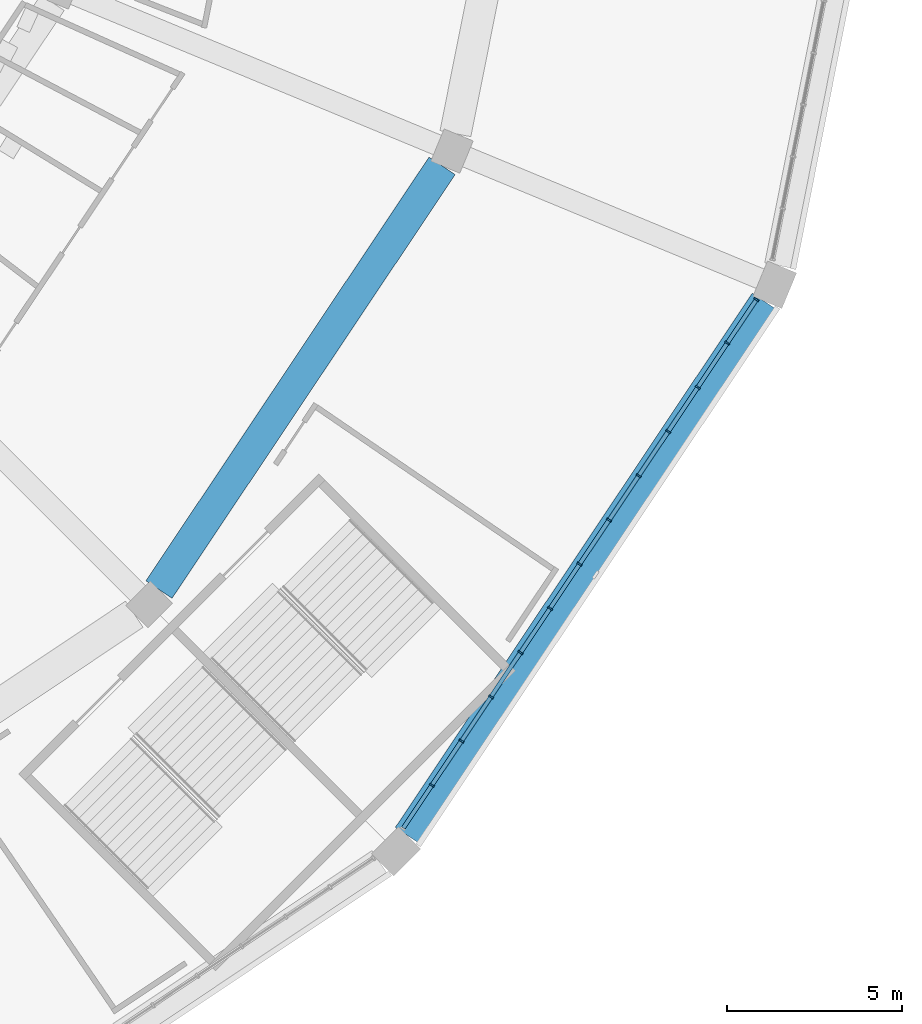
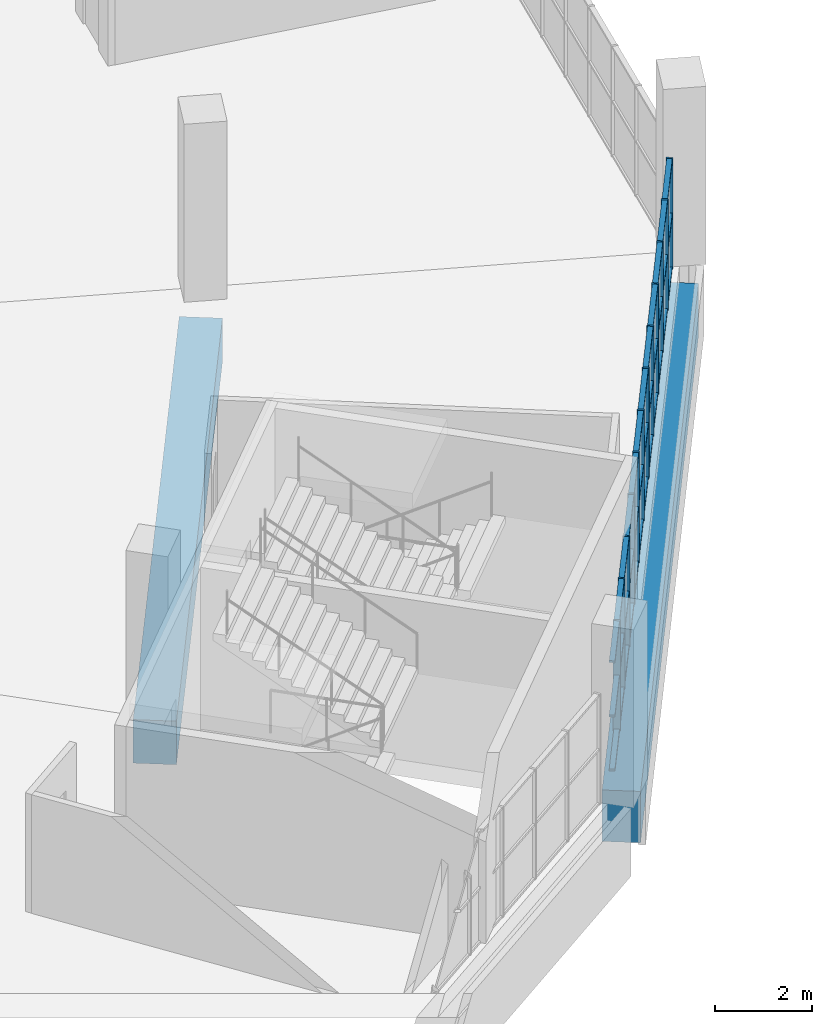
# One storey, part 24 of 199: 48 members, 2 beams, 1 element without a shape of its own.
"""IFC4 building model written with IfcOpenShell, lengths in metres."""

from ifc_helpers import new_model, si_unit, direction, frame, origin, origin_2d, place, context, subcontext, project, spatial, rectangle, extrude, material, material_profile, profile_set, type_object, element, aggregate, save


model = new_model("IFC4")

# Units and contexts
model_context = context("Model", 3, precision=1e-05, world=origin(), true_north=direction((0.0, 1.0)))
body_context = subcontext(model_context, "Body", "Model", "MODEL_VIEW")
ifc_project = project(units=[si_unit("LENGTHUNIT", "METRE"), si_unit("AREAUNIT", "SQUARE_METRE"), si_unit("VOLUMEUNIT", "CUBIC_METRE"), si_unit("PLANEANGLEUNIT", "RADIAN"), si_unit("MASSUNIT", "GRAM", prefix="KILO")], contexts=[model_context])

# Site, building, storey
site_placement = place(None, origin())
site = spatial("IfcSite", under=ifc_project, at=site_placement, CompositionType="ELEMENT")
building_placement = place(site_placement, origin())
building = spatial("IfcBuilding", under=site, at=building_placement, Name="Ogive Plaza Stadium", CompositionType="ELEMENT")
storey_placement = place(building_placement, frame((0.0, 0.0, 4.5)))
storey = spatial("IfcBuildingStorey", under=building, at=storey_placement, Name="L01", CompositionType="ELEMENT", Elevation=4.5)

# Curtain wall, members
ifc_material_1 = material(Name="Bronze-anodised aluminium with laminated glass", Category="aluminium")
curtain_wall_type = type_object("IfcCurtainWallType", Name="Lancet curtain wall", PredefinedType="NOTDEFINED", material=ifc_material_1)
curtain_wall_placement = place(storey_placement, origin())
curtain_wall = element("IfcCurtainWall", 1, at=curtain_wall_placement, inside=storey, type_object=curtain_wall_type, Name="CURTAIN WALL B09 L01", PredefinedType="NOTDEFINED")
ifc_material_2 = material(Name="Bronze-anodised aluminium", Category="aluminium")
ifc_material_profile_1 = material_profile(ifc_material_2, rectangle(XDim=0.14990234375, YDim=0.050048828125, at=origin_2d()), Name="AL 150x50")
ifc_profile_set_1 = profile_set([ifc_material_profile_1], Name="Bronze-anodised aluminium")
member_type_1 = type_object("IfcMemberType", Name="Curtain wall mullion 50x150", PredefinedType="MULLION", material=ifc_profile_set_1)
member_1_placement = place(storey_placement, frame((79.669189453125, -72.059814453125, 0.0), z_axis=(0.0, 0.0, 1.0), x_axis=(0.831469612303, -0.55557023302, 0.0)))
member_1 = element("IfcMember", 2, at=member_1_placement, type_object=member_type_1, Name="CW-B09-L01 mullion 1", PredefinedType="MULLION", context=body_context, shape_type="SweptSolid", body=[
    extrude(rectangle(XDim=0.14990234375, YDim=0.050048828125, at=origin_2d()), origin(), (0.0, 0.0, 1.0), 2.7900390625),
])
member_2_placement = place(storey_placement, frame((78.837158203125, -73.3046875, 0.0), z_axis=(0.0, 0.0, 1.0), x_axis=(0.831469612303, -0.55557023302, 0.0)))
member_2 = element("IfcMember", 3, at=member_2_placement, type_object=member_type_1, Name="CW-B09-L01 mullion 2", PredefinedType="MULLION", context=body_context, shape_type="SweptSolid", body=[
    extrude(rectangle(XDim=0.14990234375, YDim=0.050048828125, at=origin_2d()), origin(), (0.0, 0.0, 1.0), 2.7900390625),
])
member_3_placement = place(storey_placement, frame((77.991455078125, -74.570556640625, 0.0), z_axis=(0.0, 0.0, 1.0), x_axis=(0.831469612303, -0.55557023302, 0.0)))
member_3 = element("IfcMember", 4, at=member_3_placement, type_object=member_type_1, Name="CW-B09-L01 mullion 3", PredefinedType="MULLION", context=body_context, shape_type="SweptSolid", body=[
    extrude(rectangle(XDim=0.14990234375, YDim=0.050048828125, at=origin_2d()), origin(), (0.0, 0.0, 1.0), 2.7900390625),
])
member_4_placement = place(storey_placement, frame((77.145751953125, -75.836181640625, 0.0), z_axis=(0.0, 0.0, 1.0), x_axis=(0.831469612303, -0.55557023302, 0.0)))
member_4 = element("IfcMember", 5, at=member_4_placement, type_object=member_type_1, Name="CW-B09-L01 mullion 4", PredefinedType="MULLION", context=body_context, shape_type="SweptSolid", body=[
    extrude(rectangle(XDim=0.14990234375, YDim=0.050048828125, at=origin_2d()), origin(), (0.0, 0.0, 1.0), 2.7900390625),
])
member_5_placement = place(storey_placement, frame((76.2998046875, -77.10205078125, 0.0), z_axis=(0.0, 0.0, 1.0), x_axis=(0.831469612303, -0.55557023302, 0.0)))
member_5 = element("IfcMember", 6, at=member_5_placement, type_object=member_type_1, Name="CW-B09-L01 mullion 5", PredefinedType="MULLION", context=body_context, shape_type="SweptSolid", body=[
    extrude(rectangle(XDim=0.14990234375, YDim=0.050048828125, at=origin_2d()), origin(), (0.0, 0.0, 1.0), 2.7900390625),
])
member_6_placement = place(storey_placement, frame((75.4541015625, -78.367919921875, 0.0), z_axis=(0.0, 0.0, 1.0), x_axis=(0.831469612303, -0.55557023302, 0.0)))
member_6 = element("IfcMember", 7, at=member_6_placement, type_object=member_type_1, Name="CW-B09-L01 mullion 6", PredefinedType="MULLION", context=body_context, shape_type="SweptSolid", body=[
    extrude(rectangle(XDim=0.14990234375, YDim=0.050048828125, at=origin_2d()), origin(), (0.0, 0.0, 1.0), 2.7900390625),
])
member_7_placement = place(storey_placement, frame((74.6083984375, -79.633544921875, 0.0), z_axis=(0.0, 0.0, 1.0), x_axis=(0.831469612303, -0.55557023302, 0.0)))
member_7 = element("IfcMember", 8, at=member_7_placement, type_object=member_type_1, Name="CW-B09-L01 mullion 7", PredefinedType="MULLION", context=body_context, shape_type="SweptSolid", body=[
    extrude(rectangle(XDim=0.14990234375, YDim=0.050048828125, at=origin_2d()), origin(), (0.0, 0.0, 1.0), 2.7900390625),
])
member_8_placement = place(storey_placement, frame((73.7626953125, -80.8994140625, 0.0), z_axis=(0.0, 0.0, 1.0), x_axis=(0.831469612303, -0.55557023302, 0.0)))
member_8 = element("IfcMember", 9, at=member_8_placement, type_object=member_type_1, Name="CW-B09-L01 mullion 8", PredefinedType="MULLION", context=body_context, shape_type="SweptSolid", body=[
    extrude(rectangle(XDim=0.14990234375, YDim=0.050048828125, at=origin_2d()), origin(), (0.0, 0.0, 1.0), 2.7900390625),
])
member_9_placement = place(storey_placement, frame((72.916748046875, -82.165283203125, 0.0), z_axis=(0.0, 0.0, 1.0), x_axis=(0.831469612303, -0.55557023302, 0.0)))
member_9 = element("IfcMember", 10, at=member_9_placement, type_object=member_type_1, Name="CW-B09-L01 mullion 9", PredefinedType="MULLION", context=body_context, shape_type="SweptSolid", body=[
    extrude(rectangle(XDim=0.14990234375, YDim=0.050048828125, at=origin_2d()), origin(), (0.0, 0.0, 1.0), 2.7900390625),
])
member_10_placement = place(storey_placement, frame((72.071044921875, -83.430908203125, 0.0), z_axis=(0.0, 0.0, 1.0), x_axis=(0.831469612303, -0.55557023302, 0.0)))
member_10 = element("IfcMember", 11, at=member_10_placement, type_object=member_type_1, Name="CW-B09-L01 mullion 10", PredefinedType="MULLION", context=body_context, shape_type="SweptSolid", body=[
    extrude(rectangle(XDim=0.14990234375, YDim=0.050048828125, at=origin_2d()), origin(), (0.0, 0.0, 1.0), 2.7900390625),
])
member_11_placement = place(storey_placement, frame((71.225341796875, -84.69677734375, 0.0), z_axis=(0.0, 0.0, 1.0), x_axis=(0.831469612303, -0.55557023302, 0.0)))
member_11 = element("IfcMember", 12, at=member_11_placement, type_object=member_type_1, Name="CW-B09-L01 mullion 11", PredefinedType="MULLION", context=body_context, shape_type="SweptSolid", body=[
    extrude(rectangle(XDim=0.14990234375, YDim=0.050048828125, at=origin_2d()), origin(), (0.0, 0.0, 1.0), 2.7900390625),
])
member_12_placement = place(storey_placement, frame((70.379638671875, -85.962646484375, 0.0), z_axis=(0.0, 0.0, 1.0), x_axis=(0.831469612303, -0.55557023302, 0.0)))
member_12 = element("IfcMember", 13, at=member_12_placement, type_object=member_type_1, Name="CW-B09-L01 mullion 12", PredefinedType="MULLION", context=body_context, shape_type="SweptSolid", body=[
    extrude(rectangle(XDim=0.14990234375, YDim=0.050048828125, at=origin_2d()), origin(), (0.0, 0.0, 1.0), 2.7900390625),
])
ifc_material_3 = material(Name="Bronze-anodised aluminium", Category="aluminium")
ifc_material_profile_2 = material_profile(ifc_material_3, rectangle(XDim=0.1201171875, YDim=0.050048828125, at=origin_2d()), Name="AL 120x50")
ifc_profile_set_2 = profile_set([ifc_material_profile_2], Name="Bronze-anodised aluminium")
member_type_2 = type_object("IfcMemberType", Name="Curtain wall transom 50x120", PredefinedType="USERDEFINED", material=ifc_profile_set_2)
member_13_placement = place(storey_placement, frame((79.6552734375, -72.08056640625, 0.02490234375), z_axis=(-0.555634077892, -0.831426948977, 0.0), x_axis=(0.831426948977, -0.555634077892, 0.0)))
member_13 = element("IfcMember", 14, at=member_13_placement, type_object=member_type_2, Name="CW-B09-L01 transom 1.1", ObjectType="TRANSOM", PredefinedType="USERDEFINED", context=body_context, shape_type="SweptSolid", body=[
    extrude(rectangle(XDim=0.1201171875, YDim=0.050048828125, at=origin_2d()), origin(), (0.0, 0.0, 1.0), 1.447265625),
])
member_14_placement = place(storey_placement, frame((79.6552734375, -72.08056640625, 1.39501953125), z_axis=(-0.555634077892, -0.831426948977, 0.0), x_axis=(0.831426948977, -0.555634077892, 0.0)))
member_14 = element("IfcMember", 15, at=member_14_placement, type_object=member_type_2, Name="CW-B09-L01 transom 1.2", ObjectType="TRANSOM", PredefinedType="USERDEFINED", context=body_context, shape_type="SweptSolid", body=[
    extrude(rectangle(XDim=0.1201171875, YDim=0.050048828125, at=origin_2d()), origin(), (0.0, 0.0, 1.0), 1.447265625),
])
member_15_placement = place(storey_placement, frame((79.6552734375, -72.08056640625, 2.764892578125), z_axis=(-0.555634077892, -0.831426948977, 0.0), x_axis=(0.831426948977, -0.555634077892, 0.0)))
member_15 = element("IfcMember", 16, at=member_15_placement, type_object=member_type_2, Name="CW-B09-L01 transom 1.3", ObjectType="TRANSOM", PredefinedType="USERDEFINED", context=body_context, shape_type="SweptSolid", body=[
    extrude(rectangle(XDim=0.1201171875, YDim=0.050048828125, at=origin_2d()), origin(), (0.0, 0.0, 1.0), 1.447265625),
])
member_16_placement = place(storey_placement, frame((78.8232421875, -73.325439453125, 0.02490234375), z_axis=(-0.555465240925, -0.83153975619, 0.0), x_axis=(0.83153975619, -0.555465240925, 0.0)))
member_16 = element("IfcMember", 17, at=member_16_placement, type_object=member_type_2, Name="CW-B09-L01 transom 2.1", ObjectType="TRANSOM", PredefinedType="USERDEFINED", context=body_context, shape_type="SweptSolid", body=[
    extrude(rectangle(XDim=0.1201171875, YDim=0.050048828125, at=origin_2d()), origin(), (0.0, 0.0, 1.0), 1.472412109375),
])
member_17_placement = place(storey_placement, frame((78.8232421875, -73.325439453125, 1.39501953125), z_axis=(-0.555465240925, -0.83153975619, 0.0), x_axis=(0.83153975619, -0.555465240925, 0.0)))
member_17 = element("IfcMember", 18, at=member_17_placement, type_object=member_type_2, Name="CW-B09-L01 transom 2.2", ObjectType="TRANSOM", PredefinedType="USERDEFINED", context=body_context, shape_type="SweptSolid", body=[
    extrude(rectangle(XDim=0.1201171875, YDim=0.050048828125, at=origin_2d()), origin(), (0.0, 0.0, 1.0), 1.472412109375),
])
member_18_placement = place(storey_placement, frame((78.8232421875, -73.325439453125, 2.764892578125), z_axis=(-0.555465240925, -0.83153975619, 0.0), x_axis=(0.83153975619, -0.555465240925, 0.0)))
member_18 = element("IfcMember", 19, at=member_18_placement, type_object=member_type_2, Name="CW-B09-L01 transom 2.3", ObjectType="TRANSOM", PredefinedType="USERDEFINED", context=body_context, shape_type="SweptSolid", body=[
    extrude(rectangle(XDim=0.1201171875, YDim=0.050048828125, at=origin_2d()), origin(), (0.0, 0.0, 1.0), 1.472412109375),
])
member_19_placement = place(storey_placement, frame((77.9775390625, -74.59130859375, 0.02490234375), z_axis=(-0.555541835587, -0.831488586159, 0.0), x_axis=(0.831488586159, -0.555541835587, 0.0)))
member_19 = element("IfcMember", 20, at=member_19_placement, type_object=member_type_2, Name="CW-B09-L01 transom 3.1", ObjectType="TRANSOM", PredefinedType="USERDEFINED", context=body_context, shape_type="SweptSolid", body=[
    extrude(rectangle(XDim=0.1201171875, YDim=0.050048828125, at=origin_2d()), origin(), (0.0, 0.0, 1.0), 1.47216796875),
])
member_20_placement = place(storey_placement, frame((77.9775390625, -74.59130859375, 1.39501953125), z_axis=(-0.555541835587, -0.831488586159, 0.0), x_axis=(0.831488586159, -0.555541835587, 0.0)))
member_20 = element("IfcMember", 21, at=member_20_placement, type_object=member_type_2, Name="CW-B09-L01 transom 3.2", ObjectType="TRANSOM", PredefinedType="USERDEFINED", context=body_context, shape_type="SweptSolid", body=[
    extrude(rectangle(XDim=0.1201171875, YDim=0.050048828125, at=origin_2d()), origin(), (0.0, 0.0, 1.0), 1.47216796875),
])
member_21_placement = place(storey_placement, frame((77.9775390625, -74.59130859375, 2.764892578125), z_axis=(-0.555541835587, -0.831488586159, 0.0), x_axis=(0.831488586159, -0.555541835587, 0.0)))
member_21 = element("IfcMember", 22, at=member_21_placement, type_object=member_type_2, Name="CW-B09-L01 transom 3.3", ObjectType="TRANSOM", PredefinedType="USERDEFINED", context=body_context, shape_type="SweptSolid", body=[
    extrude(rectangle(XDim=0.1201171875, YDim=0.050048828125, at=origin_2d()), origin(), (0.0, 0.0, 1.0), 1.47216796875),
])
member_22_placement = place(storey_placement, frame((77.1318359375, -75.857177734375, 0.02490234375), z_axis=(-0.555656472512, -0.831411982446, 0.0), x_axis=(0.831411982446, -0.555656472512, 0.0)))
member_22 = element("IfcMember", 23, at=member_22_placement, type_object=member_type_2, Name="CW-B09-L01 transom 4.1", ObjectType="TRANSOM", PredefinedType="USERDEFINED", context=body_context, shape_type="SweptSolid", body=[
    extrude(rectangle(XDim=0.1201171875, YDim=0.050048828125, at=origin_2d()), origin(), (0.0, 0.0, 1.0), 1.472412109375),
])
member_23_placement = place(storey_placement, frame((77.1318359375, -75.857177734375, 1.39501953125), z_axis=(-0.555656472512, -0.831411982446, 0.0), x_axis=(0.831411982446, -0.555656472512, 0.0)))
member_23 = element("IfcMember", 24, at=member_23_placement, type_object=member_type_2, Name="CW-B09-L01 transom 4.2", ObjectType="TRANSOM", PredefinedType="USERDEFINED", context=body_context, shape_type="SweptSolid", body=[
    extrude(rectangle(XDim=0.1201171875, YDim=0.050048828125, at=origin_2d()), origin(), (0.0, 0.0, 1.0), 1.472412109375),
])
member_24_placement = place(storey_placement, frame((77.1318359375, -75.857177734375, 2.764892578125), z_axis=(-0.555656472512, -0.831411982446, 0.0), x_axis=(0.831411982446, -0.555656472512, 0.0)))
member_24 = element("IfcMember", 25, at=member_24_placement, type_object=member_type_2, Name="CW-B09-L01 transom 4.3", ObjectType="TRANSOM", PredefinedType="USERDEFINED", context=body_context, shape_type="SweptSolid", body=[
    extrude(rectangle(XDim=0.1201171875, YDim=0.050048828125, at=origin_2d()), origin(), (0.0, 0.0, 1.0), 1.472412109375),
])
member_25_placement = place(storey_placement, frame((76.2861328125, -77.122802734375, 0.02490234375), z_axis=(-0.555579876157, -0.831463168883, 0.0), x_axis=(0.831463168883, -0.555579876157, 0.0)))
member_25 = element("IfcMember", 26, at=member_25_placement, type_object=member_type_2, Name="CW-B09-L01 transom 5.1", ObjectType="TRANSOM", PredefinedType="USERDEFINED", context=body_context, shape_type="SweptSolid", body=[
    extrude(rectangle(XDim=0.1201171875, YDim=0.050048828125, at=origin_2d()), origin(), (0.0, 0.0, 1.0), 1.47265625),
])
member_26_placement = place(storey_placement, frame((76.2861328125, -77.122802734375, 1.39501953125), z_axis=(-0.555579876157, -0.831463168883, 0.0), x_axis=(0.831463168883, -0.555579876157, 0.0)))
member_26 = element("IfcMember", 27, at=member_26_placement, type_object=member_type_2, Name="CW-B09-L01 transom 5.2", ObjectType="TRANSOM", PredefinedType="USERDEFINED", context=body_context, shape_type="SweptSolid", body=[
    extrude(rectangle(XDim=0.1201171875, YDim=0.050048828125, at=origin_2d()), origin(), (0.0, 0.0, 1.0), 1.47265625),
])
member_27_placement = place(storey_placement, frame((76.2861328125, -77.122802734375, 2.764892578125), z_axis=(-0.555579876157, -0.831463168883, 0.0), x_axis=(0.831463168883, -0.555579876157, 0.0)))
member_27 = element("IfcMember", 28, at=member_27_placement, type_object=member_type_2, Name="CW-B09-L01 transom 5.3", ObjectType="TRANSOM", PredefinedType="USERDEFINED", context=body_context, shape_type="SweptSolid", body=[
    extrude(rectangle(XDim=0.1201171875, YDim=0.050048828125, at=origin_2d()), origin(), (0.0, 0.0, 1.0), 1.47265625),
])
member_28_placement = place(storey_placement, frame((75.440185546875, -78.388671875, 0.02490234375), z_axis=(-0.555541835587, -0.831488586159, 0.0), x_axis=(0.831488586159, -0.555541835587, 0.0)))
member_28 = element("IfcMember", 29, at=member_28_placement, type_object=member_type_2, Name="CW-B09-L01 transom 6.1", ObjectType="TRANSOM", PredefinedType="USERDEFINED", context=body_context, shape_type="SweptSolid", body=[
    extrude(rectangle(XDim=0.1201171875, YDim=0.050048828125, at=origin_2d()), origin(), (0.0, 0.0, 1.0), 1.47216796875),
])
member_29_placement = place(storey_placement, frame((75.440185546875, -78.388671875, 1.39501953125), z_axis=(-0.555541835587, -0.831488586159, 0.0), x_axis=(0.831488586159, -0.555541835587, 0.0)))
member_29 = element("IfcMember", 30, at=member_29_placement, type_object=member_type_2, Name="CW-B09-L01 transom 6.2", ObjectType="TRANSOM", PredefinedType="USERDEFINED", context=body_context, shape_type="SweptSolid", body=[
    extrude(rectangle(XDim=0.1201171875, YDim=0.050048828125, at=origin_2d()), origin(), (0.0, 0.0, 1.0), 1.47216796875),
])
member_30_placement = place(storey_placement, frame((75.440185546875, -78.388671875, 2.764892578125), z_axis=(-0.555541835587, -0.831488586159, 0.0), x_axis=(0.831488586159, -0.555541835587, 0.0)))
member_30 = element("IfcMember", 31, at=member_30_placement, type_object=member_type_2, Name="CW-B09-L01 transom 6.3", ObjectType="TRANSOM", PredefinedType="USERDEFINED", context=body_context, shape_type="SweptSolid", body=[
    extrude(rectangle(XDim=0.1201171875, YDim=0.050048828125, at=origin_2d()), origin(), (0.0, 0.0, 1.0), 1.47216796875),
])
member_31_placement = place(storey_placement, frame((74.594482421875, -79.654541015625, 0.02490234375), z_axis=(-0.555656472512, -0.831411982446, 0.0), x_axis=(0.831411982446, -0.555656472512, 0.0)))
member_31 = element("IfcMember", 32, at=member_31_placement, type_object=member_type_2, Name="CW-B09-L01 transom 7.1", ObjectType="TRANSOM", PredefinedType="USERDEFINED", context=body_context, shape_type="SweptSolid", body=[
    extrude(rectangle(XDim=0.1201171875, YDim=0.050048828125, at=origin_2d()), origin(), (0.0, 0.0, 1.0), 1.472412109375),
])
member_32_placement = place(storey_placement, frame((74.594482421875, -79.654541015625, 1.39501953125), z_axis=(-0.555656472512, -0.831411982446, 0.0), x_axis=(0.831411982446, -0.555656472512, 0.0)))
member_32 = element("IfcMember", 33, at=member_32_placement, type_object=member_type_2, Name="CW-B09-L01 transom 7.2", ObjectType="TRANSOM", PredefinedType="USERDEFINED", context=body_context, shape_type="SweptSolid", body=[
    extrude(rectangle(XDim=0.1201171875, YDim=0.050048828125, at=origin_2d()), origin(), (0.0, 0.0, 1.0), 1.472412109375),
])
member_33_placement = place(storey_placement, frame((74.594482421875, -79.654541015625, 2.764892578125), z_axis=(-0.555656472512, -0.831411982446, 0.0), x_axis=(0.831411982446, -0.555656472512, 0.0)))
member_33 = element("IfcMember", 34, at=member_33_placement, type_object=member_type_2, Name="CW-B09-L01 transom 7.3", ObjectType="TRANSOM", PredefinedType="USERDEFINED", context=body_context, shape_type="SweptSolid", body=[
    extrude(rectangle(XDim=0.1201171875, YDim=0.050048828125, at=origin_2d()), origin(), (0.0, 0.0, 1.0), 1.472412109375),
])
member_34_placement = place(storey_placement, frame((73.748779296875, -80.920166015625, 0.02490234375), z_axis=(-0.555579876157, -0.831463168883, 0.0), x_axis=(0.831463168883, -0.555579876157, 0.0)))
member_34 = element("IfcMember", 35, at=member_34_placement, type_object=member_type_2, Name="CW-B09-L01 transom 8.1", ObjectType="TRANSOM", PredefinedType="USERDEFINED", context=body_context, shape_type="SweptSolid", body=[
    extrude(rectangle(XDim=0.1201171875, YDim=0.050048828125, at=origin_2d()), origin(), (0.0, 0.0, 1.0), 1.47265625),
])
member_35_placement = place(storey_placement, frame((73.748779296875, -80.920166015625, 1.39501953125), z_axis=(-0.555579876157, -0.831463168883, 0.0), x_axis=(0.831463168883, -0.555579876157, 0.0)))
member_35 = element("IfcMember", 36, at=member_35_placement, type_object=member_type_2, Name="CW-B09-L01 transom 8.2", ObjectType="TRANSOM", PredefinedType="USERDEFINED", context=body_context, shape_type="SweptSolid", body=[
    extrude(rectangle(XDim=0.1201171875, YDim=0.050048828125, at=origin_2d()), origin(), (0.0, 0.0, 1.0), 1.47265625),
])
member_36_placement = place(storey_placement, frame((73.748779296875, -80.920166015625, 2.764892578125), z_axis=(-0.555579876157, -0.831463168883, 0.0), x_axis=(0.831463168883, -0.555579876157, 0.0)))
member_36 = element("IfcMember", 37, at=member_36_placement, type_object=member_type_2, Name="CW-B09-L01 transom 8.3", ObjectType="TRANSOM", PredefinedType="USERDEFINED", context=body_context, shape_type="SweptSolid", body=[
    extrude(rectangle(XDim=0.1201171875, YDim=0.050048828125, at=origin_2d()), origin(), (0.0, 0.0, 1.0), 1.47265625),
])
member_37_placement = place(storey_placement, frame((72.90283203125, -82.18603515625, 0.02490234375), z_axis=(-0.555541835587, -0.831488586159, 0.0), x_axis=(0.831488586159, -0.555541835587, 0.0)))
member_37 = element("IfcMember", 38, at=member_37_placement, type_object=member_type_2, Name="CW-B09-L01 transom 9.1", ObjectType="TRANSOM", PredefinedType="USERDEFINED", context=body_context, shape_type="SweptSolid", body=[
    extrude(rectangle(XDim=0.1201171875, YDim=0.050048828125, at=origin_2d()), origin(), (0.0, 0.0, 1.0), 1.47216796875),
])
member_38_placement = place(storey_placement, frame((72.90283203125, -82.18603515625, 1.39501953125), z_axis=(-0.555541835587, -0.831488586159, 0.0), x_axis=(0.831488586159, -0.555541835587, 0.0)))
member_38 = element("IfcMember", 39, at=member_38_placement, type_object=member_type_2, Name="CW-B09-L01 transom 9.2", ObjectType="TRANSOM", PredefinedType="USERDEFINED", context=body_context, shape_type="SweptSolid", body=[
    extrude(rectangle(XDim=0.1201171875, YDim=0.050048828125, at=origin_2d()), origin(), (0.0, 0.0, 1.0), 1.47216796875),
])
member_39_placement = place(storey_placement, frame((72.90283203125, -82.18603515625, 2.764892578125), z_axis=(-0.555541835587, -0.831488586159, 0.0), x_axis=(0.831488586159, -0.555541835587, 0.0)))
member_39 = element("IfcMember", 40, at=member_39_placement, type_object=member_type_2, Name="CW-B09-L01 transom 9.3", ObjectType="TRANSOM", PredefinedType="USERDEFINED", context=body_context, shape_type="SweptSolid", body=[
    extrude(rectangle(XDim=0.1201171875, YDim=0.050048828125, at=origin_2d()), origin(), (0.0, 0.0, 1.0), 1.47216796875),
])
member_40_placement = place(storey_placement, frame((72.05712890625, -83.45166015625, 0.02490234375), z_axis=(-0.555465240925, -0.83153975619, 0.0), x_axis=(0.83153975619, -0.555465240925, 0.0)))
member_40 = element("IfcMember", 41, at=member_40_placement, type_object=member_type_2, Name="CW-B09-L01 transom 10.1", ObjectType="TRANSOM", PredefinedType="USERDEFINED", context=body_context, shape_type="SweptSolid", body=[
    extrude(rectangle(XDim=0.1201171875, YDim=0.050048828125, at=origin_2d()), origin(), (0.0, 0.0, 1.0), 1.472412109375),
])
member_41_placement = place(storey_placement, frame((72.05712890625, -83.45166015625, 1.39501953125), z_axis=(-0.555465240925, -0.83153975619, 0.0), x_axis=(0.83153975619, -0.555465240925, 0.0)))
member_41 = element("IfcMember", 42, at=member_41_placement, type_object=member_type_2, Name="CW-B09-L01 transom 10.2", ObjectType="TRANSOM", PredefinedType="USERDEFINED", context=body_context, shape_type="SweptSolid", body=[
    extrude(rectangle(XDim=0.1201171875, YDim=0.050048828125, at=origin_2d()), origin(), (0.0, 0.0, 1.0), 1.472412109375),
])
member_42_placement = place(storey_placement, frame((72.05712890625, -83.45166015625, 2.764892578125), z_axis=(-0.555465240925, -0.83153975619, 0.0), x_axis=(0.83153975619, -0.555465240925, 0.0)))
member_42 = element("IfcMember", 43, at=member_42_placement, type_object=member_type_2, Name="CW-B09-L01 transom 10.3", ObjectType="TRANSOM", PredefinedType="USERDEFINED", context=body_context, shape_type="SweptSolid", body=[
    extrude(rectangle(XDim=0.1201171875, YDim=0.050048828125, at=origin_2d()), origin(), (0.0, 0.0, 1.0), 1.472412109375),
])
member_43_placement = place(storey_placement, frame((71.21142578125, -84.717529296875, 0.02490234375), z_axis=(-0.555656472512, -0.831411982446, 0.0), x_axis=(0.831411982446, -0.555656472512, 0.0)))
member_43 = element("IfcMember", 44, at=member_43_placement, type_object=member_type_2, Name="CW-B09-L01 transom 11.1", ObjectType="TRANSOM", PredefinedType="USERDEFINED", context=body_context, shape_type="SweptSolid", body=[
    extrude(rectangle(XDim=0.1201171875, YDim=0.050048828125, at=origin_2d()), origin(), (0.0, 0.0, 1.0), 1.472412109375),
])
member_44_placement = place(storey_placement, frame((71.21142578125, -84.717529296875, 1.39501953125), z_axis=(-0.555656472512, -0.831411982446, 0.0), x_axis=(0.831411982446, -0.555656472512, 0.0)))
member_44 = element("IfcMember", 45, at=member_44_placement, type_object=member_type_2, Name="CW-B09-L01 transom 11.2", ObjectType="TRANSOM", PredefinedType="USERDEFINED", context=body_context, shape_type="SweptSolid", body=[
    extrude(rectangle(XDim=0.1201171875, YDim=0.050048828125, at=origin_2d()), origin(), (0.0, 0.0, 1.0), 1.472412109375),
])
member_45_placement = place(storey_placement, frame((71.21142578125, -84.717529296875, 2.764892578125), z_axis=(-0.555656472512, -0.831411982446, 0.0), x_axis=(0.831411982446, -0.555656472512, 0.0)))
member_45 = element("IfcMember", 46, at=member_45_placement, type_object=member_type_2, Name="CW-B09-L01 transom 11.3", ObjectType="TRANSOM", PredefinedType="USERDEFINED", context=body_context, shape_type="SweptSolid", body=[
    extrude(rectangle(XDim=0.1201171875, YDim=0.050048828125, at=origin_2d()), origin(), (0.0, 0.0, 1.0), 1.472412109375),
])
member_46_placement = place(storey_placement, frame((70.36572265625, -85.9833984375, 0.02490234375), z_axis=(-0.555634077892, -0.831426948977, 0.0), x_axis=(0.831426948977, -0.555634077892, 0.0)))
member_46 = element("IfcMember", 47, at=member_46_placement, type_object=member_type_2, Name="CW-B09-L01 transom 12.1", ObjectType="TRANSOM", PredefinedType="USERDEFINED", context=body_context, shape_type="SweptSolid", body=[
    extrude(rectangle(XDim=0.1201171875, YDim=0.050048828125, at=origin_2d()), origin(), (0.0, 0.0, 1.0), 1.447265625),
])
member_47_placement = place(storey_placement, frame((70.36572265625, -85.9833984375, 1.39501953125), z_axis=(-0.555634077892, -0.831426948977, 0.0), x_axis=(0.831426948977, -0.555634077892, 0.0)))
member_47 = element("IfcMember", 48, at=member_47_placement, type_object=member_type_2, Name="CW-B09-L01 transom 12.2", ObjectType="TRANSOM", PredefinedType="USERDEFINED", context=body_context, shape_type="SweptSolid", body=[
    extrude(rectangle(XDim=0.1201171875, YDim=0.050048828125, at=origin_2d()), origin(), (0.0, 0.0, 1.0), 1.447265625),
])
member_48_placement = place(storey_placement, frame((70.36572265625, -85.9833984375, 2.764892578125), z_axis=(-0.555634077892, -0.831426948977, 0.0), x_axis=(0.831426948977, -0.555634077892, 0.0)))
member_48 = element("IfcMember", 49, at=member_48_placement, type_object=member_type_2, Name="CW-B09-L01 transom 12.3", ObjectType="TRANSOM", PredefinedType="USERDEFINED", context=body_context, shape_type="SweptSolid", body=[
    extrude(rectangle(XDim=0.1201171875, YDim=0.050048828125, at=origin_2d()), origin(), (0.0, 0.0, 1.0), 1.447265625),
])
aggregate(curtain_wall, [member_1, member_2, member_3, member_4, member_5, member_6, member_7, member_8, member_9, member_10, member_11, member_12, member_13, member_14, member_15, member_16, member_17, member_18, member_19, member_20, member_21, member_22, member_23, member_24, member_25, member_26, member_27, member_28, member_29, member_30, member_31, member_32, member_33, member_34, member_35, member_36, member_37, member_38, member_39, member_40, member_41, member_42, member_43, member_44, member_45, member_46, member_47, member_48])

# Beams
ifc_material_4 = material(Name="Concrete C40/50", Category="concrete")
ifc_material_profile_3 = material_profile(ifc_material_4, rectangle(XDim=0.89990234375, YDim=1.10009765625, at=origin_2d()), Name="RC 900x1100")
ifc_profile_set_3 = profile_set([ifc_material_profile_3], Name="Concrete C40/50")
beam_type_1 = type_object("IfcBeamType", Name="RC ring beam 900x1100", PredefinedType="BEAM", material=ifc_profile_set_3)
beam_1_placement = place(storey_placement, frame((70.671875, -68.231201171875, -0.9599609375), z_axis=(-0.555572744827, -0.831467933961, 0.0), x_axis=(0.831467933961, -0.555572744827, 0.0)))
element("IfcBeam", 50, at=beam_1_placement, inside=storey, type_object=beam_type_1, Name="Ring beam F4 L01 B09", PredefinedType="BEAM", context=body_context, shape_type="SweptSolid", body=[
    extrude(rectangle(XDim=0.89990234375, YDim=1.10009765625, at=origin_2d()), origin(), (0.0, 0.0, 1.0), 14.587646484375),
])
ifc_material_5 = material(Name="Concrete C40/50", Category="concrete")
ifc_material_profile_4 = material_profile(ifc_material_5, rectangle(XDim=0.800048828125, YDim=1.300048828125, at=origin_2d()), Name="RC 800x1300")
ifc_profile_set_4 = profile_set([ifc_material_profile_4], Name="Concrete C40/50")
beam_type_2 = type_object("IfcBeamType", Name="RC spandrel beam 800x1300", PredefinedType="SPANDREL", material=ifc_profile_set_4)
beam_2_placement = place(storey_placement, frame((79.88232421875, -72.100341796875, -1.06005859375), z_axis=(-0.555557833169, -0.831477897484, 0.0), x_axis=(0.831477897484, -0.555557833169, 0.0)))
element("IfcBeam", 51, at=beam_2_placement, inside=storey, type_object=beam_type_2, Name="Ring beam F5 L01 B09", PredefinedType="SPANDREL", context=body_context, shape_type="SweptSolid", body=[
    extrude(rectangle(XDim=0.800048828125, YDim=1.300048828125, at=origin_2d()), origin(), (0.0, 0.0, 1.0), 18.387451171875),
])

save(model, "model.ifc")
